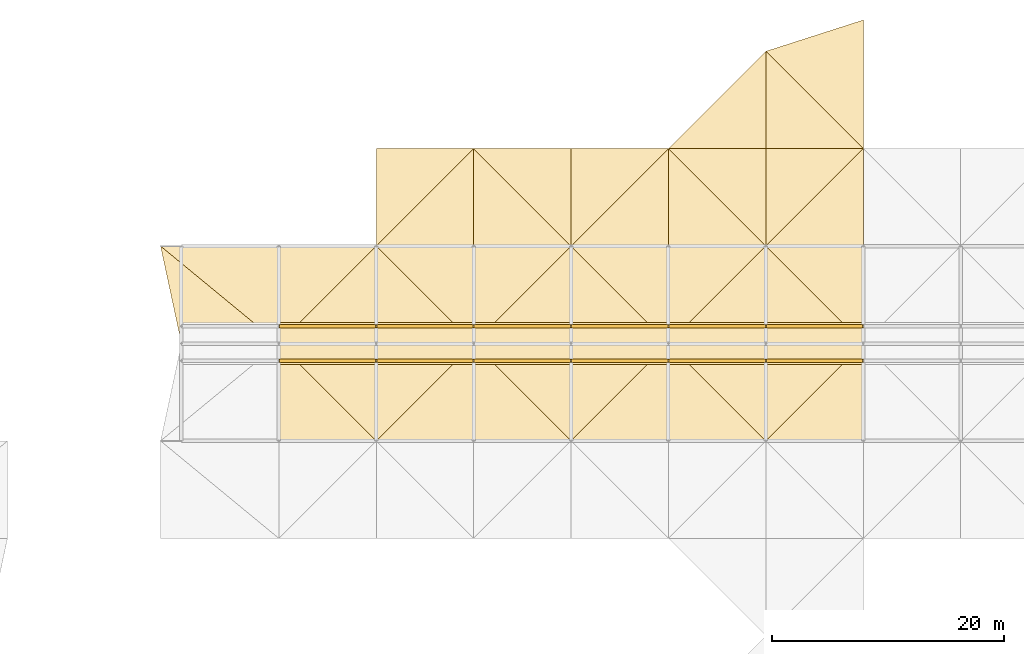
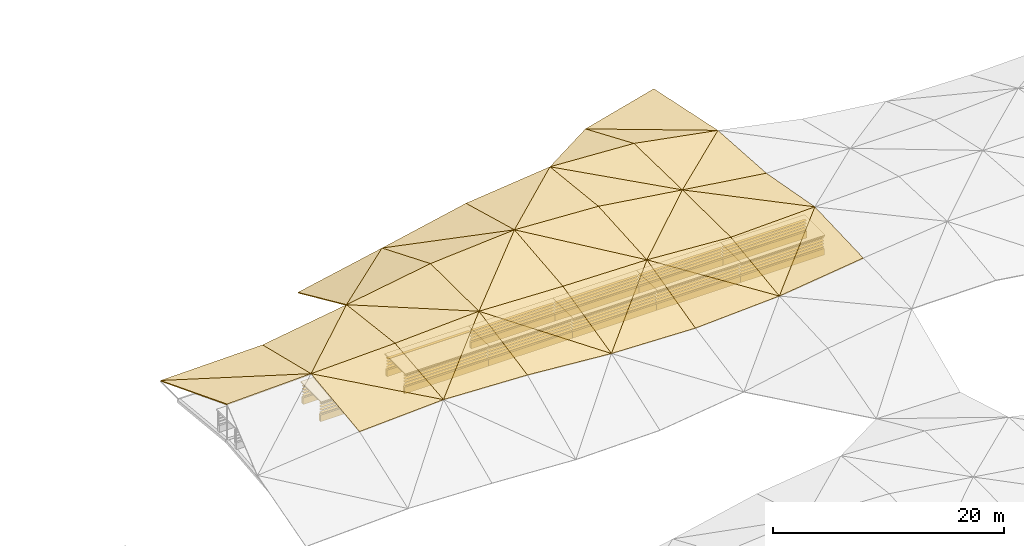
# One storey, part 45 of 46: 57 coverings, 48 shading devices.
"""IFC4 building model written with IfcOpenShell, lengths in metres."""

import ifcopenshell
import ifcopenshell.guid

model = None  # the IFC model being written
_history = None  # IfcOwnerHistory: only IFC2X3 demands one
_inside = {}  # id of a spatial element -> (the spatial element, [elements in it])
_under = {}  # id of a project, library or spatial element -> (it, [spatial elements below it])
_declared = {}  # id of a project -> (the project, [libraries it declares])
_typed = {}  # id of a type object -> (the type object, [elements of that type])
_made_of = {}  # id of a material, layer set ... -> (it, [elements and type objects made of it])


def new_model(schema):
    """Start an empty IFC model of exactly this schema.

    Asked for "IFC4X3", IfcOpenShell would pick the latest addendum, in which some entities
    have other attributes; the version numbers below select the first issue.
    IFC2X3 requires an IfcOwnerHistory on every rooted entity: one is made here for all.
    """
    global model, _history
    if schema == "IFC4X3":
        model = ifcopenshell.file(schema_version=(4, 3, 0, 0))
    else:
        model = ifcopenshell.file(schema=schema)
    _inside.clear()
    _under.clear()
    _declared.clear()
    _typed.clear()
    _made_of.clear()
    _history = None
    if model.schema == "IFC2X3":
        org = make("IfcOrganization", Name="unknown")
        user = make(
            "IfcPersonAndOrganization",
            ThePerson=make("IfcPerson", FamilyName="unknown"),
            TheOrganization=org,
        )
        app = make(
            "IfcApplication",
            ApplicationDeveloper=org,
            Version="unknown",
            ApplicationFullName="unknown",
            ApplicationIdentifier="unknown",
        )
        _history = make(
            "IfcOwnerHistory",
            OwningUser=user,
            OwningApplication=app,
            ChangeAction="ADDED",
            CreationDate=0,
        )
    return model


def make(cls, **values):
    """One entity of the class cls with the attributes given. An attribute that is None is left unset."""
    return model.create_entity(
        cls, **{name: value for name, value in values.items() if value is not None}
    )


def rooted(cls, **values):
    """An entity with a GlobalId (a new one), such as an element, a storey or a relation."""
    return make(cls, GlobalId=ifcopenshell.guid.new(), OwnerHistory=_history, **values)


def si_unit(unit_type, name, prefix=None):
    """IfcSIUnit, for example si_unit("LENGTHUNIT", "METRE", prefix="MILLI")."""
    return make("IfcSIUnit", UnitType=unit_type, Prefix=prefix, Name=name)


def assignment(units):
    """IfcUnitAssignment: the units of a project."""
    return None if units is None else make("IfcUnitAssignment", Units=units)


def point(xyz):
    """IfcCartesianPoint."""
    return None if xyz is None else make("IfcCartesianPoint", Coordinates=xyz)


def direction(xyz):
    """IfcDirection."""
    return None if xyz is None else make("IfcDirection", DirectionRatios=xyz)


def frame(location, z_axis=None, x_axis=None):
    """IfcAxis2Placement3D, a coordinate frame: its origin and axes. An axis left out is left unset."""
    return make(
        "IfcAxis2Placement3D",
        Location=point(location),
        Axis=direction(z_axis),
        RefDirection=direction(x_axis),
    )


def frame_2d(location, x_axis=None):
    """IfcAxis2Placement2D, a coordinate frame in the plane: its origin and x axis."""
    return make(
        "IfcAxis2Placement2D", Location=point(location), RefDirection=direction(x_axis)
    )


def origin():
    """The frame at (0, 0, 0) with its axes left unset."""
    return frame((0.0, 0.0, 0.0))


def origin_2d():
    """The frame at (0, 0) in the plane with its x axis left unset."""
    return frame_2d((0.0, 0.0))


def place(relative_to, where):
    """IfcLocalPlacement: puts the frame where relative to a parent placement (None: the world)."""
    return make(
        "IfcLocalPlacement", PlacementRelTo=relative_to, RelativePlacement=where
    )


def context(
    kind, dimensions, precision=None, world=None, true_north=None, identifier=None
):
    """IfcGeometricRepresentationContext, for example the 3D "Model" context."""
    return make(
        "IfcGeometricRepresentationContext",
        ContextIdentifier=identifier,
        ContextType=kind,
        CoordinateSpaceDimension=dimensions,
        Precision=precision,
        WorldCoordinateSystem=world,
        TrueNorth=true_north,
    )


def subcontext(parent, identifier, kind, view, scale=None):
    """IfcGeometricRepresentationSubContext, for example "Body" below "Model"."""
    return make(
        "IfcGeometricRepresentationSubContext",
        ContextIdentifier=identifier,
        ContextType=kind,
        ParentContext=parent,
        TargetScale=scale,
        TargetView=view,
    )


def project(units=None, contexts=None):
    """IfcProject with its units and contexts."""
    return rooted(
        "IfcProject",
        Name="project",
        RepresentationContexts=contexts,
        UnitsInContext=assignment(units),
    )


def spatial(cls, under=None, at=None, **own):
    """A site, building, storey or space (cls), placed at a placement, below another one or the project."""
    s = rooted(cls, ObjectPlacement=at, **own)
    if under is not None:
        _under.setdefault(under.id(), (under, []))[1].append(s)
    return s


def polyline(points):
    """IfcPolyline through the points."""
    return make("IfcPolyline", Points=[point(p) for p in points])


def profile(cls, at=None, kind="AREA", **sizes):
    """A parametric profile (cls). Its sizes go by their IFC names, for example OverallWidth=200.0."""
    return make(cls, ProfileType=kind, Position=at, **sizes)


def rectangle(**sizes):
    """IfcRectangleProfileDef."""
    return profile("IfcRectangleProfileDef", **sizes)


def outline(outer, holes=None, kind="AREA"):
    """IfcArbitraryClosedProfileDef: a profile drawn as a closed curve; with holes, ...WithVoids."""
    if holes is None:
        return make("IfcArbitraryClosedProfileDef", ProfileType=kind, OuterCurve=outer)
    return make(
        "IfcArbitraryProfileDefWithVoids",
        ProfileType=kind,
        OuterCurve=outer,
        InnerCurves=holes,
    )


def extrude(swept, where, along, depth):
    """IfcExtrudedAreaSolid: the profile swept, set in the frame where, extruded along a direction by depth."""
    return make(
        "IfcExtrudedAreaSolid",
        SweptArea=swept,
        Position=where,
        ExtrudedDirection=direction(along),
        Depth=depth,
    )


def shape(context_of_items, identifier, shape_type, items):
    """IfcShapeRepresentation: the items that make up one representation, for example the "Body"."""
    return make(
        "IfcShapeRepresentation",
        ContextOfItems=context_of_items,
        RepresentationIdentifier=identifier,
        RepresentationType=shape_type,
        Items=items,
    )


def material(Name=None, Category=None):
    """IfcMaterial."""
    return make("IfcMaterial", Name=Name, Category=Category)


def layer(
    of_material, thickness, ventilated=None, Name=None, Category=None, Priority=None
):
    """IfcMaterialLayer: one layer of a wall or slab, of a material (None: an air gap)."""
    return make(
        "IfcMaterialLayer",
        Material=of_material,
        LayerThickness=thickness,
        IsVentilated=ventilated,
        Name=Name,
        Category=Category,
        Priority=Priority,
    )


def layer_set(layers, Name=None):
    """IfcMaterialLayerSet."""
    return make("IfcMaterialLayerSet", MaterialLayers=layers, LayerSetName=Name)


def made_of(thing, what):
    """Note that an element or type object is made of a material, layer set ...; save() writes the relation."""
    if what is not None:
        _made_of.setdefault(what.id(), (what, []))[1].append(thing)
    return thing


def type_object(cls, material=None, **own):
    """A type object (cls), such as IfcWallType, which elements share."""
    return made_of(rooted(cls, **own), material)


def element(
    cls,
    number,
    at=None,
    inside=None,
    cuts=None,
    type_object=None,
    material=None,
    context=None,
    identifier="Body",
    shape_type=None,
    held_by="IfcProductDefinitionShape",
    body=None,
    shapes=None,
    **own,
):
    """One element of the class cls, such as IfcWall. Its Tag is "e" and its number.

    at: its placement. inside: the storey or other place that contains it. cuts: it is an
    opening in that element (IfcRelVoidsElement). A single representation is given by context,
    identifier, shape_type and body (its items); several are given by shapes. held_by: the class
    of the entity that holds the representations. save() writes the other relations.
    """
    e = rooted(cls, Tag="e%d" % number, ObjectPlacement=at, **own)
    if body is not None:
        shapes = [shape(context, identifier, shape_type, body)]
    if shapes is not None:
        e.Representation = make(held_by, Representations=shapes)
    if inside is not None:
        _inside.setdefault(inside.id(), (inside, []))[1].append(e)
    if cuts is not None:
        rooted(
            "IfcRelVoidsElement", RelatingBuildingElement=cuts, RelatedOpeningElement=e
        )
    if type_object is not None:
        _typed.setdefault(type_object.id(), (type_object, []))[1].append(e)
    return made_of(e, material)


def aggregate(whole, parts):
    """IfcRelAggregates: a whole, such as a stair, and the parts it consists of."""
    return rooted("IfcRelAggregates", RelatingObject=whole, RelatedObjects=parts)


def save(model, path):
    """Write the relations noted so far, then the file.

    IfcRelAggregates (storeys below a building ...), IfcRelContainedInSpatialStructure (elements
    in a storey), IfcRelDefinesByType, IfcRelAssociatesMaterial and IfcRelDeclares: one each for
    every whole, place, type object, material and project.
    """
    for whole, parts in _under.values():
        aggregate(whole, parts)
    for where, things in _inside.values():
        rooted(
            "IfcRelContainedInSpatialStructure",
            RelatedElements=things,
            RelatingStructure=where,
        )
    for kind, things in _typed.values():
        rooted("IfcRelDefinesByType", RelatedObjects=things, RelatingType=kind)
    for what, things in _made_of.values():
        rooted("IfcRelAssociatesMaterial", RelatedObjects=things, RelatingMaterial=what)
    for by, libraries in _declared.values():
        rooted("IfcRelDeclares", RelatingContext=by, RelatedDefinitions=libraries)
    model.write(path)


model = new_model("IFC4")

# Units and contexts
model_context = context("Model", 3, precision=1e-05, world=origin(), true_north=direction((0.0, 1.0)))
body_context = subcontext(model_context, "Body", "Model", "MODEL_VIEW")
ifc_project = project(units=[si_unit("LENGTHUNIT", "METRE"), si_unit("AREAUNIT", "SQUARE_METRE"), si_unit("VOLUMEUNIT", "CUBIC_METRE"), si_unit("PLANEANGLEUNIT", "RADIAN"), si_unit("MASSUNIT", "GRAM", prefix="KILO")], contexts=[model_context])

# Site, building, storey
site_placement = place(None, origin())
site = spatial("IfcSite", under=ifc_project, at=site_placement, CompositionType="ELEMENT")
building_placement = place(site_placement, origin())
building = spatial("IfcBuilding", under=site, at=building_placement, Name="Rain Tree Exposition and Congress Centre", CompositionType="ELEMENT")
storey_placement = place(building_placement, frame((0.0, 0.0, 27.0)))
storey = spatial("IfcBuildingStorey", under=building, at=storey_placement, Name="ROOF VAULT CREST", CompositionType="ELEMENT", Elevation=27.0)

# Shading devices
ifc_material_1 = material(Name="Aluminium", Category="aluminium")
ifc_layer_1 = layer(ifc_material_1, 0.0400390625)
ifc_layer_set_1 = layer_set([ifc_layer_1], Name="Aluminium")
shading_device_type = type_object("IfcShadingDeviceType", Name="Lantern louvre blade 40", PredefinedType="JALOUSIE", material=ifc_layer_set_1)
for number, where, z_axis, x_axis, name in (
    (1, (155.39990234375, 174.89990234375, 2.14990234375), (0.0, 0.0, 1.0), (1.0, 0.0, 0.0), "Lantern louvre SR1-1.1"),
    (2, (155.39990234375, 174.89990234375, 2.469970703125), (0.0, 0.0, 1.0), (1.0, 0.0, 0.0), "Lantern louvre SR1-1.2"),
    (3, (155.39990234375, 174.89990234375, 2.7900390625), (0.0, 0.0, 1.0), (1.0, 0.0, 0.0), "Lantern louvre SR1-1.3"),
    (4, (155.39990234375, 174.89990234375, 3.10986328125), (0.0, 0.0, 1.0), (1.0, 0.0, 0.0), "Lantern louvre SR1-1.4"),
    (5, (163.800048828125, 174.89990234375, 2.14990234375), (0.0, 0.0, 1.0), (1.0, 0.0, 0.0), "Lantern louvre SR1-2.1"),
    (6, (163.800048828125, 174.89990234375, 2.469970703125), (0.0, 0.0, 1.0), (1.0, 0.0, 0.0), "Lantern louvre SR1-2.2"),
    (7, (163.800048828125, 174.89990234375, 2.7900390625), (0.0, 0.0, 1.0), (1.0, 0.0, 0.0), "Lantern louvre SR1-2.3"),
    (8, (163.800048828125, 174.89990234375, 3.10986328125), (0.0, 0.0, 1.0), (1.0, 0.0, 0.0), "Lantern louvre SR1-2.4"),
    (9, (172.199951171875, 174.89990234375, 2.14990234375), (0.0, 0.0, 1.0), (1.0, 0.0, 0.0), "Lantern louvre SR1-3.1"),
    (10, (172.199951171875, 174.89990234375, 2.469970703125), (0.0, 0.0, 1.0), (1.0, 0.0, 0.0), "Lantern louvre SR1-3.2"),
    (11, (172.199951171875, 174.89990234375, 2.7900390625), (0.0, 0.0, 1.0), (1.0, 0.0, 0.0), "Lantern louvre SR1-3.3"),
    (12, (172.199951171875, 174.89990234375, 3.10986328125), (0.0, 0.0, 1.0), (1.0, 0.0, 0.0), "Lantern louvre SR1-3.4"),
    (13, (180.60009765625, 174.89990234375, 2.14990234375), (0.0, 0.0, 1.0), (1.0, 0.0, 0.0), "Lantern louvre SR1-4.1"),
    (14, (180.60009765625, 174.89990234375, 2.469970703125), (0.0, 0.0, 1.0), (1.0, 0.0, 0.0), "Lantern louvre SR1-4.2"),
    (15, (180.60009765625, 174.89990234375, 2.7900390625), (0.0, 0.0, 1.0), (1.0, 0.0, 0.0), "Lantern louvre SR1-4.3"),
    (16, (180.60009765625, 174.89990234375, 3.10986328125), (0.0, 0.0, 1.0), (1.0, 0.0, 0.0), "Lantern louvre SR1-4.4"),
    (17, (189.0, 174.89990234375, 2.14990234375), (0.0, 0.0, 1.0), (1.0, 0.0, 0.0), "Lantern louvre SR1-5.1"),
    (18, (189.0, 174.89990234375, 2.469970703125), (0.0, 0.0, 1.0), (1.0, 0.0, 0.0), "Lantern louvre SR1-5.2"),
    (19, (189.0, 174.89990234375, 2.7900390625), (0.0, 0.0, 1.0), (1.0, 0.0, 0.0), "Lantern louvre SR1-5.3"),
    (20, (189.0, 174.89990234375, 3.10986328125), (0.0, 0.0, 1.0), (1.0, 0.0, 0.0), "Lantern louvre SR1-5.4"),
    (21, (197.39990234375, 174.89990234375, 2.14990234375), (0.0, 0.0, 1.0), (1.0, 0.0, 0.0), "Lantern louvre SR1-6.1"),
    (22, (197.39990234375, 174.89990234375, 2.469970703125), (0.0, 0.0, 1.0), (1.0, 0.0, 0.0), "Lantern louvre SR1-6.2"),
    (23, (197.39990234375, 174.89990234375, 2.7900390625), (0.0, 0.0, 1.0), (1.0, 0.0, 0.0), "Lantern louvre SR1-6.3"),
    (24, (197.39990234375, 174.89990234375, 3.10986328125), (0.0, 0.0, 1.0), (1.0, 0.0, 0.0), "Lantern louvre SR1-6.4"),
    (25, (155.39990234375, 177.89990234375, 2.14990234375), (0.0, 0.0, 1.0), (1.0, 0.0, 0.0), "Lantern louvre NR1-1.1"),
    (26, (155.39990234375, 177.89990234375, 2.469970703125), (0.0, 0.0, 1.0), (1.0, 0.0, 0.0), "Lantern louvre NR1-1.2"),
    (27, (155.39990234375, 177.89990234375, 2.7900390625), (0.0, 0.0, 1.0), (1.0, 0.0, 0.0), "Lantern louvre NR1-1.3"),
    (28, (155.39990234375, 177.89990234375, 3.10986328125), (0.0, 0.0, 1.0), (1.0, 0.0, 0.0), "Lantern louvre NR1-1.4"),
    (29, (163.800048828125, 177.89990234375, 2.14990234375), (0.0, 0.0, 1.0), (1.0, 0.0, 0.0), "Lantern louvre NR1-2.1"),
    (30, (163.800048828125, 177.89990234375, 2.469970703125), (0.0, 0.0, 1.0), (1.0, 0.0, 0.0), "Lantern louvre NR1-2.2"),
    (31, (163.800048828125, 177.89990234375, 2.7900390625), (0.0, 0.0, 1.0), (1.0, 0.0, 0.0), "Lantern louvre NR1-2.3"),
    (32, (163.800048828125, 177.89990234375, 3.10986328125), (0.0, 0.0, 1.0), (1.0, 0.0, 0.0), "Lantern louvre NR1-2.4"),
    (33, (172.199951171875, 177.89990234375, 2.14990234375), (0.0, 0.0, 1.0), (1.0, 0.0, 0.0), "Lantern louvre NR1-3.1"),
    (34, (172.199951171875, 177.89990234375, 2.469970703125), (0.0, 0.0, 1.0), (1.0, 0.0, 0.0), "Lantern louvre NR1-3.2"),
    (35, (172.199951171875, 177.89990234375, 2.7900390625), (0.0, 0.0, 1.0), (1.0, 0.0, 0.0), "Lantern louvre NR1-3.3"),
    (36, (172.199951171875, 177.89990234375, 3.10986328125), (0.0, 0.0, 1.0), (1.0, 0.0, 0.0), "Lantern louvre NR1-3.4"),
    (37, (180.60009765625, 177.89990234375, 2.14990234375), (0.0, 0.0, 1.0), (1.0, 0.0, 0.0), "Lantern louvre NR1-4.1"),
    (38, (180.60009765625, 177.89990234375, 2.469970703125), (0.0, 0.0, 1.0), (1.0, 0.0, 0.0), "Lantern louvre NR1-4.2"),
    (39, (180.60009765625, 177.89990234375, 2.7900390625), (0.0, 0.0, 1.0), (1.0, 0.0, 0.0), "Lantern louvre NR1-4.3"),
    (40, (180.60009765625, 177.89990234375, 3.10986328125), (0.0, 0.0, 1.0), (1.0, 0.0, 0.0), "Lantern louvre NR1-4.4"),
    (41, (189.0, 177.89990234375, 2.14990234375), (0.0, 0.0, 1.0), (1.0, 0.0, 0.0), "Lantern louvre NR1-5.1"),
    (42, (189.0, 177.89990234375, 2.469970703125), (0.0, 0.0, 1.0), (1.0, 0.0, 0.0), "Lantern louvre NR1-5.2"),
    (43, (189.0, 177.89990234375, 2.7900390625), (0.0, 0.0, 1.0), (1.0, 0.0, 0.0), "Lantern louvre NR1-5.3"),
    (44, (189.0, 177.89990234375, 3.10986328125), (0.0, 0.0, 1.0), (1.0, 0.0, 0.0), "Lantern louvre NR1-5.4"),
    (45, (197.39990234375, 177.89990234375, 2.14990234375), (0.0, 0.0, 1.0), (1.0, 0.0, 0.0), "Lantern louvre NR1-6.1"),
    (46, (197.39990234375, 177.89990234375, 2.469970703125), (0.0, 0.0, 1.0), (1.0, 0.0, 0.0), "Lantern louvre NR1-6.2"),
    (47, (197.39990234375, 177.89990234375, 2.7900390625), (0.0, 0.0, 1.0), (1.0, 0.0, 0.0), "Lantern louvre NR1-6.3"),
    (48, (197.39990234375, 177.89990234375, 3.10986328125), (0.0, 0.0, 1.0), (1.0, 0.0, 0.0), "Lantern louvre NR1-6.4"),
):
    element("IfcShadingDevice", number, at=place(storey_placement, frame(where, z_axis=z_axis, x_axis=x_axis)), inside=storey, type_object=shading_device_type, Name=name, PredefinedType="JALOUSIE", context=body_context, shape_type="SweptSolid", body=[
        extrude(rectangle(XDim=8.300048828125, YDim=0.300048828125, at=origin_2d()), origin(), (0.0, 0.0, 1.0), 0.0400390625),
    ])

# Coverings
ifc_material_2 = material(Name="Aluminium composite", Category="aluminium")
ifc_layer_2 = layer(ifc_material_2, 0.1201171875)
ifc_layer_set_2 = layer_set([ifc_layer_2], Name="Aluminium composite")
covering_type_1 = type_object("IfcCoveringType", Name="Ridge lantern cap 120", PredefinedType="CLADDING", material=ifc_layer_set_2)
for number, where, z_axis, x_axis, name in (
    (49, (155.39990234375, 176.39990234375, 3.3798828125), (0.0, 0.0, 1.0), (1.0, 0.0, 0.0), "Lantern cap R1-1"),
    (50, (163.800048828125, 176.39990234375, 3.3798828125), (0.0, 0.0, 1.0), (1.0, 0.0, 0.0), "Lantern cap R1-2"),
    (51, (172.199951171875, 176.39990234375, 3.3798828125), (0.0, 0.0, 1.0), (1.0, 0.0, 0.0), "Lantern cap R1-3"),
    (52, (180.60009765625, 176.39990234375, 3.3798828125), (0.0, 0.0, 1.0), (1.0, 0.0, 0.0), "Lantern cap R1-4"),
    (53, (189.0, 176.39990234375, 3.3798828125), (0.0, 0.0, 1.0), (1.0, 0.0, 0.0), "Lantern cap R1-5"),
    (54, (197.39990234375, 176.39990234375, 3.3798828125), (0.0, 0.0, 1.0), (1.0, 0.0, 0.0), "Lantern cap R1-6"),
):
    element("IfcCovering", number, at=place(storey_placement, frame(where, z_axis=z_axis, x_axis=x_axis)), inside=storey, type_object=covering_type_1, Name=name, PredefinedType="CLADDING", context=body_context, shape_type="SweptSolid", body=[
        extrude(rectangle(XDim=8.39990234375, YDim=3.60009765625, at=origin_2d()), origin(), (0.0, 0.0, 1.0), 0.1201171875),
    ])
ifc_material_3 = material(Name="Precast concrete C50/60", Category="concrete")
ifc_layer_3 = layer(ifc_material_3, 0.300048828125)
ifc_layer_set_3 = layer_set([ifc_layer_3], Name="Precast concrete C50/60")
covering_type_2 = type_object("IfcCoveringType", Name="Ridge lantern kerb 300", PredefinedType="CLADDING", material=ifc_layer_set_3)
for number, where, z_axis, x_axis, name in (
    (55, (155.39990234375, 174.89990234375, 1.2998046875), (0.0, 0.0, 1.0), (1.0, 0.0, 0.0), "Lantern kerb SR1-1"),
    (56, (163.800048828125, 174.89990234375, 1.2998046875), (0.0, 0.0, 1.0), (1.0, 0.0, 0.0), "Lantern kerb SR1-2"),
    (57, (172.199951171875, 174.89990234375, 1.2998046875), (0.0, 0.0, 1.0), (1.0, 0.0, 0.0), "Lantern kerb SR1-3"),
    (58, (180.60009765625, 174.89990234375, 1.2998046875), (0.0, 0.0, 1.0), (1.0, 0.0, 0.0), "Lantern kerb SR1-4"),
    (59, (189.0, 174.89990234375, 1.2998046875), (0.0, 0.0, 1.0), (1.0, 0.0, 0.0), "Lantern kerb SR1-5"),
    (60, (197.39990234375, 174.89990234375, 1.2998046875), (0.0, 0.0, 1.0), (1.0, 0.0, 0.0), "Lantern kerb SR1-6"),
    (61, (155.39990234375, 177.89990234375, 1.2998046875), (0.0, 0.0, 1.0), (1.0, 0.0, 0.0), "Lantern kerb NR1-1"),
    (62, (163.800048828125, 177.89990234375, 1.2998046875), (0.0, 0.0, 1.0), (1.0, 0.0, 0.0), "Lantern kerb NR1-2"),
    (63, (172.199951171875, 177.89990234375, 1.2998046875), (0.0, 0.0, 1.0), (1.0, 0.0, 0.0), "Lantern kerb NR1-3"),
    (64, (180.60009765625, 177.89990234375, 1.2998046875), (0.0, 0.0, 1.0), (1.0, 0.0, 0.0), "Lantern kerb NR1-4"),
    (65, (189.0, 177.89990234375, 1.2998046875), (0.0, 0.0, 1.0), (1.0, 0.0, 0.0), "Lantern kerb NR1-5"),
    (66, (197.39990234375, 177.89990234375, 1.2998046875), (0.0, 0.0, 1.0), (1.0, 0.0, 0.0), "Lantern kerb NR1-6"),
):
    element("IfcCovering", number, at=place(storey_placement, frame(where, z_axis=z_axis, x_axis=x_axis)), inside=storey, type_object=covering_type_2, Name=name, PredefinedType="CLADDING", context=body_context, shape_type="SweptSolid", body=[
        extrude(rectangle(XDim=8.39990234375, YDim=0.300048828125, at=origin_2d()), origin(), (0.0, 0.0, 1.0), 0.699951171875),
    ])
ifc_material_4 = material(Name="Aluminium composite cladding", Category="aluminium")
ifc_layer_4 = layer(ifc_material_4, 0.10009765625)
ifc_layer_set_4 = layer_set([ifc_layer_4], Name="Aluminium composite cladding")
covering_type_3 = type_object("IfcCoveringType", Name="Triangular aluminium roof skin facet 100", PredefinedType="CLADDING", material=ifc_layer_set_4)
covering_1_placement = place(storey_placement, frame((151.199951171875, 168.0, 4.3701171875), z_axis=(-0.051568992577, -0.121521973623, 0.991248227707), x_axis=(0.998649477044, 0.0, 0.051954037373)))
element("IfcCovering", 67, at=covering_1_placement, inside=storey, type_object=covering_type_3, Name="Roof skin facet B195", PredefinedType="CLADDING", context=body_context, shape_type="SweptSolid", body=[
    extrude(outline(polyline([(0.0, 0.0), (8.411506416884107, 0.0), (0.05350149649445964, 8.462621014936357), (0.0, 0.0)])), origin(), (0.0, 0.0, -1.0), 0.10009765625),
])
covering_2_placement = place(storey_placement, frame((159.60009765625, 168.0, 4.80712890625), z_axis=(-0.032794353192, -0.102951256852, 0.994145647836), x_axis=(0.0, 0.994680666133, 0.103006662019)))
element("IfcCovering", 68, at=covering_2_placement, inside=storey, type_object=covering_type_3, Name="Roof skin facet B196", PredefinedType="CLADDING", context=body_context, shape_type="SweptSolid", body=[
    extrude(outline(polyline([(0.0, 0.0), (8.444823177676152, 3.469446951953614e-18), (8.416280071867604, 8.404667182202056), (0.0, 0.0)])), origin(), (0.0, 0.0, -1.0), 0.10009765625),
])
covering_3_placement = place(storey_placement, frame((159.60009765625, 168.0, 4.80712890625), z_axis=(0.039130850127, -0.192177219526, 0.98057977384), x_axis=(0.999204712082, 0.0, -0.039874093754)))
element("IfcCovering", 69, at=covering_3_placement, inside=storey, type_object=covering_type_3, Name="Roof skin facet B197", PredefinedType="CLADDING", context=body_context, shape_type="SweptSolid", body=[
    extrude(outline(polyline([(0.0, 0.0), (8.406588001617395, 1.3877787807814457e-17), (8.340945664170857, 8.559448427167862), (0.0, 0.0)])), origin(), (0.0, 0.0, -1.0), 0.10009765625),
])
covering_4_placement = place(storey_placement, frame((159.60009765625, 168.0, 4.80712890625), z_axis=(-0.052169399816, -0.102866392664, 0.993326159417), x_axis=(0.702839415282, 0.702839415282, 0.109697368484)))
element("IfcCovering", 70, at=covering_4_placement, inside=storey, type_object=covering_type_3, Name="Roof skin facet B198", PredefinedType="CLADDING", context=body_context, shape_type="SweptSolid", body=[
    extrude(outline(polyline([(0.0, 0.0), (11.951382010043732, -2.220446049250313e-16), (5.999205235863916, 5.943448076680683), (0.0, 0.0)])), origin(), (0.0, 0.0, -1.0), 0.10009765625),
])
covering_5_placement = place(storey_placement, frame((168.0, 168.0, 4.471923828125), z_axis=(0.078280389932, -0.191734351366, 0.9783200494), x_axis=(0.996814080849, 0.0, -0.07976019196)))
element("IfcCovering", 71, at=covering_5_placement, inside=storey, type_object=covering_type_3, Name="Roof skin facet B199", PredefinedType="CLADDING", context=body_context, shape_type="SweptSolid", body=[
    extrude(outline(polyline([(0.0, 0.0), (8.426749285681357, 0.0), (-0.13130443710607662, 8.55869297490032), (0.0, 0.0)])), origin(), (0.0, 0.0, -1.0), 0.10009765625),
])
covering_6_placement = place(storey_placement, frame((176.39990234375, 168.0, 3.7998046875), z_axis=(0.034426684313, -0.233756904071, 0.971685398268), x_axis=(0.0, 0.972261729729, 0.233895551269)))
element("IfcCovering", 72, at=covering_6_placement, inside=storey, type_object=covering_type_3, Name="Roof skin facet B200", PredefinedType="CLADDING", context=body_context, shape_type="SweptSolid", body=[
    extrude(outline(polyline([(0.0, 0.0), (8.639548474347214, -1.3877787807814457e-17), (8.709157526348491, 8.404884540668677), (0.0, 0.0)])), origin(), (0.0, 0.0, -1.0), 0.10009765625),
])
covering_7_placement = place(storey_placement, frame((176.39990234375, 168.0, 3.7998046875), z_axis=(0.029397357411, -0.245914352458, 0.968845667087), x_axis=(0.99953997903, 0.0, -0.030328704569)))
element("IfcCovering", 73, at=covering_7_placement, inside=storey, type_object=covering_type_3, Name="Roof skin facet B201", PredefinedType="CLADDING", context=body_context, shape_type="SweptSolid", body=[
    extrude(outline(polyline([(0.0, 0.0), (8.404012506360612, 0.0), (8.339349279553605, 8.666022358104852), (0.0, 0.0)])), origin(), (0.0, 0.0, -1.0), 0.10009765625),
])
covering_8_placement = place(storey_placement, frame((176.39990234375, 168.0, 3.7998046875), z_axis=(0.016613218203, -0.23386327157, 0.972127548828), x_axis=(0.698450467041, 0.698430167379, 0.15608410036)))
element("IfcCovering", 74, at=covering_8_placement, inside=storey, type_object=covering_type_3, Name="Roof skin facet B202", PredefinedType="CLADDING", context=body_context, shape_type="SweptSolid", body=[
    extrude(outline(polyline([(0.0, 0.0), (12.026832081540194, -1.9984014443252818e-15), (6.182152450566822, 6.035129569325408), (0.0, 0.0)])), origin(), (0.0, 0.0, -1.0), 0.10009765625),
])
covering_9_placement = place(storey_placement, frame((184.800048828125, 168.0, 3.544921875), z_axis=(-0.05229892918, -0.245683995982, 0.967938115855), x_axis=(0.998543499019, 0.0, 0.053952577012)))
element("IfcCovering", 75, at=covering_9_placement, inside=storey, type_object=covering_type_3, Name="Roof skin facet B203", PredefinedType="CLADDING", context=body_context, shape_type="SweptSolid", body=[
    extrude(outline(polyline([(0.0, 0.0), (8.412154655254966, -1.3877787807814457e-17), (0.11503121461091734, 8.665500139272943), (0.0, 0.0)])), origin(), (0.0, 0.0, -1.0), 0.10009765625),
])
covering_10_placement = place(storey_placement, frame((193.199951171875, 168.0, 3.998779296875), z_axis=(0.065254607218, -0.132348991909, 0.989052870466), x_axis=(0.0, 0.991165394015, 0.13263167686)))
element("IfcCovering", 76, at=covering_10_placement, inside=storey, type_object=covering_type_3, Name="Roof skin facet B204", PredefinedType="CLADDING", context=body_context, shape_type="SweptSolid", body=[
    extrude(outline(polyline([(0.0, 0.0), (8.47477362957773, 0.0), (8.548278001275056, 8.417843742072028), (0.0, 0.0)])), origin(), (0.0, 0.0, -1.0), 0.10009765625),
])
covering_11_placement = place(storey_placement, frame((193.199951171875, 168.0, 3.998779296875), z_axis=(-0.127209269407, -0.0381120369, 0.991143417685), x_axis=(0.991864034281, 0.0, 0.127301757648)))
element("IfcCovering", 77, at=covering_11_placement, inside=storey, type_object=covering_type_3, Name="Roof skin facet B205", PredefinedType="CLADDING", context=body_context, shape_type="SweptSolid", body=[
    extrude(outline(polyline([(0.0, 0.0), (8.46905038800589, -6.938893903907228e-18), (8.510168607089847, 8.406009541683924), (0.0, 0.0)])), origin(), (0.0, 0.0, -1.0), 0.10009765625),
])
covering_12_placement = place(storey_placement, frame((193.199951171875, 168.0, 3.998779296875), z_axis=(-0.032678579604, -0.132560839952, 0.99063602506), x_axis=(0.702249396384, 0.70222898631, 0.117133411394)))
element("IfcCovering", 78, at=covering_12_placement, inside=storey, type_object=covering_type_3, Name="Roof skin facet B206", PredefinedType="CLADDING", context=body_context, shape_type="SweptSolid", body=[
    extrude(outline(polyline([(0.0, 0.0), (11.961771028404561, 7.077671781985373e-16), (6.030315607676924, 5.9545849346863955), (0.0, 0.0)])), origin(), (0.0, 0.0, -1.0), 0.10009765625),
])
covering_13_placement = place(storey_placement, frame((142.800048828125, 176.39990234375, 5.122802734375), z_axis=(-0.032153690516, 0.221210289624, 0.974695925892), x_axis=(0.999456325364, 0.0, 0.032970497276)))
element("IfcCovering", 79, at=covering_13_placement, inside=storey, type_object=covering_type_3, Name="Roof skin facet B217", PredefinedType="CLADDING", context=body_context, shape_type="SweptSolid", body=[
    extrude(outline(polyline([(0.0, 0.0), (8.40447164181381, 0.0), (-1.8638842604918453, 8.61353711939063), (0.0, 0.0)])), origin(), (0.0, 0.0, -1.0), 0.10009765625),
])
covering_14_placement = place(storey_placement, frame((151.199951171875, 176.39990234375, 5.39990234375), z_axis=(-0.018483603493, 0.236916999264, 0.971354050726), x_axis=(0.0, 0.971520021701, -0.236957480225)))
element("IfcCovering", 80, at=covering_14_placement, inside=storey, type_object=covering_type_3, Name="Roof skin facet B218", PredefinedType="CLADDING", context=body_context, shape_type="SweptSolid", body=[
    extrude(outline(polyline([(0.0, 0.0), (8.64639564470356, -6.938893903907228e-18), (8.69238714782346, 10.201693992464639), (0.0, 0.0)])), origin(), (0.0, 0.0, -1.0), 0.10009765625),
])
covering_15_placement = place(storey_placement, frame((151.199951171875, 176.39990234375, 5.39990234375), z_axis=(-0.032729955076, 0.120336654214, 0.992193448725), x_axis=(0.99945635694, 0.0, 0.032969540068)))
element("IfcCovering", 81, at=covering_15_placement, inside=storey, type_object=covering_type_3, Name="Roof skin facet B219", PredefinedType="CLADDING", context=body_context, shape_type="SweptSolid", body=[
    extrude(outline(polyline([(0.0, 0.0), (8.404715649709598, 6.938893903907228e-18), (8.371126320924287, 8.461635998324338), (0.0, 0.0)])), origin(), (0.0, 0.0, -1.0), 0.10009765625),
])
covering_16_placement = place(storey_placement, frame((151.199951171875, 176.39990234375, 5.39990234375), z_axis=(-0.149477711943, 0.234295285511, 0.960605086818), x_axis=(0.705732614207, 0.705732614207, -0.062313357223)))
element("IfcCovering", 82, at=covering_16_placement, inside=storey, type_object=covering_type_3, Name="Roof skin facet B220", PredefinedType="CLADDING", context=body_context, shape_type="SweptSolid", body=[
    extrude(outline(polyline([(0.0, 0.0), (11.902732444653612, 1.4155343563970746e-15), (6.055926696982973, 6.171378248456143), (0.0, 0.0)])), origin(), (0.0, 0.0, -1.0), 0.10009765625),
])
covering_17_placement = place(storey_placement, frame((159.60009765625, 176.39990234375, 5.677001953125), z_axis=(-0.05206712334, 0.120237847712, 0.991378774558), x_axis=(0.998623676187, 0.0, 0.052447624916)))
element("IfcCovering", 83, at=covering_17_placement, inside=storey, type_object=covering_type_3, Name="Roof skin facet B221", PredefinedType="CLADDING", context=body_context, shape_type="SweptSolid", body=[
    extrude(outline(polyline([(0.0, 0.0), (8.411479262964686, 6.938893903907228e-18), (-0.053433578802640866, 8.4615339545382), (0.0, 0.0)])), origin(), (0.0, 0.0, -1.0), 0.10009765625),
])
covering_18_placement = place(storey_placement, frame((168.0, 176.39990234375, 6.1181640625), z_axis=(-0.165139443584, 0.006277466939, 0.986250250992), x_axis=(0.0, 0.999979744106, -0.006364854941)))
element("IfcCovering", 84, at=covering_18_placement, inside=storey, type_object=covering_type_3, Name="Roof skin facet B222", PredefinedType="CLADDING", context=body_context, shape_type="SweptSolid", body=[
    extrude(outline(polyline([(0.0, 0.0), (8.400316640301469, 0.0), (8.409268771482083, 8.516836561276524), (0.0, 0.0)])), origin(), (0.0, 0.0, -1.0), 0.10009765625),
])
covering_19_placement = place(storey_placement, frame((168.0, 176.39990234375, 6.1181640625), z_axis=(0.035215549792, -0.104025848384, 0.993950948448), x_axis=(0.999372952543, 0.0, -0.035407650676)))
element("IfcCovering", 85, at=covering_19_placement, inside=storey, type_object=covering_type_3, Name="Roof skin facet B223", PredefinedType="CLADDING", context=body_context, shape_type="SweptSolid", body=[
    extrude(outline(polyline([(0.0, 0.0), (8.405172785974827, 3.469446951953614e-18), (8.37404413605214, 8.4459692975672), (0.0, 0.0)])), origin(), (0.0, 0.0, -1.0), 0.10009765625),
])
covering_20_placement = place(storey_placement, frame((168.0, 176.39990234375, 6.1181640625), z_axis=(-0.075380665509, 0.006346745848, 0.997134631875), x_axis=(0.706250756333, 0.706271283298, 0.048895230529)))
element("IfcCovering", 86, at=covering_20_placement, inside=storey, type_object=covering_type_3, Name="Roof skin facet B224", PredefinedType="CLADDING", context=body_context, shape_type="SweptSolid", body=[
    extrude(outline(polyline([(0.0, 0.0), (11.893654298322152, -1.394717674685353e-15), (5.930167966049203, 5.949657767617361), (0.0, 0.0)])), origin(), (0.0, 0.0, -1.0), 0.10009765625),
])
covering_21_placement = place(storey_placement, frame((176.39990234375, 176.39990234375, 5.820556640625), z_axis=(0.016994258024, -0.104075379495, 0.994424210575), x_axis=(0.999854005691, 0.0, -0.017087050756)))
element("IfcCovering", 87, at=covering_21_placement, inside=storey, type_object=covering_type_3, Name="Roof skin facet B225", PredefinedType="CLADDING", context=body_context, shape_type="SweptSolid", body=[
    extrude(outline(polyline([(0.0, 0.0), (8.401373037025609, 0.0), (-0.01502208734637456, 8.446013302451371), (0.0, 0.0)])), origin(), (0.0, 0.0, -1.0), 0.10009765625),
])
covering_22_placement = place(storey_placement, frame((184.800048828125, 176.39990234375, 5.677001953125), z_axis=(0.054059900888, -0.067234649095, 0.996271563921), x_axis=(0.0, 0.997730550903, 0.067333110681)))
element("IfcCovering", 88, at=covering_22_placement, inside=storey, type_object=covering_type_3, Name="Roof skin facet B226", PredefinedType="CLADDING", context=body_context, shape_type="SweptSolid", body=[
    extrude(outline(polyline([(0.0, 0.0), (8.419253551741916, -3.469446951953614e-18), (8.449944693744172, 8.41244805436579), (0.0, 0.0)])), origin(), (0.0, 0.0, -1.0), 0.10009765625),
])
covering_23_placement = place(storey_placement, frame((184.800048828125, 176.39990234375, 5.677001953125), z_axis=(0.065830401499, 0.010062768903, 0.99778008545), x_axis=(0.997830606552, 0.0, -0.065833734723)))
element("IfcCovering", 89, at=covering_23_placement, inside=storey, type_object=covering_type_3, Name="Roof skin facet B227", PredefinedType="CLADDING", context=body_context, shape_type="SweptSolid", body=[
    extrude(outline(polyline([(0.0, 0.0), (8.41816465499457, 8.673617379884035e-19), (8.423741878126608, 8.400571813228705), (0.0, 0.0)])), origin(), (0.0, 0.0, -1.0), 0.10009765625),
])
covering_24_placement = place(storey_placement, frame((184.800048828125, 176.39990234375, 5.677001953125), z_axis=(0.141777975412, -0.066652944086, 0.987651958299), x_axis=(0.706076026035, 0.706096547921, -0.053705776903)))
element("IfcCovering", 90, at=covering_24_placement, inside=storey, type_object=covering_type_3, Name="Roof skin facet B228", PredefinedType="CLADDING", context=body_context, shape_type="SweptSolid", body=[
    extrude(outline(polyline([(0.0, 0.0), (11.896597581599394, 9.853229343548264e-16), (5.900868923426594, 6.005295689394249), (0.0, 0.0)])), origin(), (0.0, 0.0, -1.0), 0.10009765625),
])
covering_25_placement = place(storey_placement, frame((193.199951171875, 176.39990234375, 5.122802734375), z_axis=(-0.032967865346, 0.010079162357, 0.999405588508), x_axis=(0.99945635694, 0.0, 0.032969540068)))
element("IfcCovering", 91, at=covering_25_placement, inside=storey, type_object=covering_type_3, Name="Roof skin facet B229", PredefinedType="CLADDING", context=body_context, shape_type="SweptSolid", body=[
    extrude(outline(polyline([(0.0, 0.0), (8.404715649709598, 0.0), (-0.0027930738290205966, 8.400573200286335), (0.0, 0.0)])), origin(), (0.0, 0.0, -1.0), 0.10009765625),
])
covering_26_placement = place(storey_placement, frame((201.60009765625, 176.39990234375, 5.39990234375), z_axis=(0.136614020464, 0.178583750632, 0.974394403423), x_axis=(0.0, 0.983616443657, -0.180273935353)))
element("IfcCovering", 92, at=covering_26_placement, inside=storey, type_object=covering_type_3, Name="Roof skin facet B230", PredefinedType="CLADDING", context=body_context, shape_type="SweptSolid", body=[
    extrude(outline(polyline([(0.0, 0.0), (8.540063089170078, 2.7755575615628914e-17), (8.32774827858799, 8.47964867422123), (0.0, 0.0)])), origin(), (0.0, 0.0, -1.0), 0.10009765625),
])
covering_27_placement = place(storey_placement, frame((159.60009765625, 184.800048828125, 4.658203125), z_axis=(-0.15307714147, 0.375213038483, 0.914211444094), x_axis=(0.986269683946, 0.0, 0.165142697472)))
element("IfcCovering", 93, at=covering_27_placement, inside=storey, type_object=covering_type_3, Name="Roof skin facet B245", PredefinedType="CLADDING", context=body_context, shape_type="SweptSolid", body=[
    extrude(outline(polyline([(0.0, 0.0), (8.516841266112054, 0.0), (7.947510203856323, 9.061983508601593), (0.0, 0.0)])), origin(), (0.0, 0.0, -1.0), 0.10009765625),
])
covering_28_placement = place(storey_placement, frame((159.60009765625, 184.800048828125, 4.658203125), z_axis=(-0.185770489542, 0.403466213199, 0.895937687578), x_axis=(0.696895466395, 0.696895466395, -0.169332270507)))
element("IfcCovering", 94, at=covering_28_placement, inside=storey, type_object=covering_type_3, Name="Roof skin facet B246", PredefinedType="CLADDING", context=body_context, shape_type="SweptSolid", body=[
    extrude(outline(polyline([(0.0, 0.0), (12.053317532968574, 1.1102230246251565e-16), (6.494389554696387, 6.533773433898196), (0.0, 0.0)])), origin(), (0.0, 0.0, -1.0), 0.10009765625),
])
covering_29_placement = place(storey_placement, frame((168.0, 184.800048828125, 6.064697265625), z_axis=(-0.069765742328, 0.378762801772, 0.922860488477), x_axis=(0.997154715363, 0.0, 0.075382183766)))
element("IfcCovering", 95, at=covering_29_placement, inside=storey, type_object=covering_type_3, Name="Roof skin facet B247", PredefinedType="CLADDING", context=body_context, shape_type="SweptSolid", body=[
    extrude(outline(polyline([(0.0, 0.0), (8.423870653504592, 0.0), (-0.25988081468803825, 9.076130504282846), (0.0, 0.0)])), origin(), (0.0, 0.0, -1.0), 0.10009765625),
])
covering_30_placement = place(storey_placement, frame((176.39990234375, 184.800048828125, 6.69970703125), z_axis=(-0.201705418832, 0.257569909833, 0.944972309416), x_axis=(0.0, 0.964802637699, -0.262975037387)))
element("IfcCovering", 96, at=covering_30_placement, inside=storey, type_object=covering_type_3, Name="Roof skin facet B248", PredefinedType="CLADDING", context=body_context, shape_type="SweptSolid", body=[
    extrude(outline(polyline([(0.0, 0.0), (8.706342639964227, 5.551115123125783e-17), (9.177848664029481, 8.576175044405488), (0.0, 0.0)])), origin(), (0.0, 0.0, -1.0), 0.10009765625),
])
covering_31_placement = place(storey_placement, frame((176.39990234375, 184.800048828125, 6.69970703125), z_axis=(0.053865453533, 0.108022560028, 0.99268808769), x_axis=(0.998531049137, 0.0, -0.054182505558)))
element("IfcCovering", 97, at=covering_31_placement, inside=storey, type_object=covering_type_3, Name="Roof skin facet B249", PredefinedType="CLADDING", context=body_context, shape_type="SweptSolid", body=[
    extrude(outline(polyline([(0.0, 0.0), (8.412504039440346, 6.938893903907228e-18), (8.4620302359271, 8.44934416356113), (0.0, 0.0)])), origin(), (0.0, 0.0, -1.0), 0.10009765625),
])
covering_32_placement = place(storey_placement, frame((176.39990234375, 184.800048828125, 6.69970703125), z_axis=(-0.105045595808, 0.261520103432, 0.959464776999), x_axis=(0.702461991617, 0.702441575365, -0.114555591448)))
element("IfcCovering", 98, at=covering_32_placement, inside=storey, type_object=covering_type_3, Name="Roof skin facet B250", PredefinedType="CLADDING", context=body_context, shape_type="SweptSolid", body=[
    extrude(outline(polyline([(0.0, 0.0), (11.958150881639227, -3.885780586188048e-16), (6.162721479152355, 6.149899684942303), (0.0, 0.0)])), origin(), (0.0, 0.0, -1.0), 0.10009765625),
])
covering_33_placement = place(storey_placement, frame((184.800048828125, 184.800048828125, 6.243896484375), z_axis=(0.141276755545, 0.107094588533, 0.984160366734), x_axis=(0.989853174067, 0.0, -0.142093961132)))
element("IfcCovering", 99, at=covering_33_placement, inside=storey, type_object=covering_type_3, Name="Roof skin facet B251", PredefinedType="CLADDING", context=body_context, shape_type="SweptSolid", body=[
    extrude(outline(polyline([(0.0, 0.0), (8.486008393791025, 0.0), (0.1298827613474161, 8.448490995837528), (0.0, 0.0)])), origin(), (0.0, 0.0, -1.0), 0.10009765625),
])
covering_34_placement = place(storey_placement, frame((193.199951171875, 184.800048828125, 5.0380859375), z_axis=(0.056022971492, 0.021353136726, 0.998201117119), x_axis=(0.0, 0.99977127784, -0.021386725004)))
element("IfcCovering", 100, at=covering_34_placement, inside=storey, type_object=covering_type_3, Name="Roof skin facet B252", PredefinedType="CLADDING", context=body_context, shape_type="SweptSolid", body=[
    extrude(outline(polyline([(0.0, 0.0), (8.401824027090367, 0.0), (8.391741564692207, 8.413115309048491), (0.0, 0.0)])), origin(), (0.0, 0.0, -1.0), 0.10009765625),
])
covering_35_placement = place(storey_placement, frame((193.199951171875, 184.800048828125, 5.0380859375), z_axis=(0.138541172899, 0.066228281546, 0.988139746258), x_axis=(0.990313983336, 0.0, -0.138846009696)))
element("IfcCovering", 101, at=covering_35_placement, inside=storey, type_object=covering_type_3, Name="Roof skin facet B253", PredefinedType="CLADDING", context=body_context, shape_type="SweptSolid", body=[
    extrude(outline(polyline([(0.0, 0.0), (8.482306244000762, -1.3877787807814457e-17), (8.560474920358002, 8.418384931054065), (0.0, 0.0)])), origin(), (0.0, 0.0, -1.0), 0.10009765625),
])
covering_36_placement = place(storey_placement, frame((193.199951171875, 184.800048828125, 5.0380859375), z_axis=(0.182665837411, 0.021026894566, 0.982950182638), x_axis=(0.699645631155, 0.699625296757, -0.144984257568)))
element("IfcCovering", 102, at=covering_36_placement, inside=storey, type_object=covering_type_3, Name="Roof skin facet B254", PredefinedType="CLADDING", context=body_context, shape_type="SweptSolid", body=[
    extrude(outline(polyline([(0.0, 0.0), (12.006287340784265, -7.216449660063518e-16), (5.902836028760436, 5.978894028142726), (0.0, 0.0)])), origin(), (0.0, 0.0, -1.0), 0.10009765625),
])
covering_37_placement = place(storey_placement, frame((184.800048828125, 193.199951171875, 5.329833984375), z_axis=(0.051609085414, 0.389555756389, 0.91955577045), x_axis=(0.998428763087, 0.0, -0.056035747879)))
element("IfcCovering", 103, at=covering_37_placement, inside=storey, type_object=covering_type_3, Name="Roof skin facet B275", PredefinedType="CLADDING", context=body_context, shape_type="SweptSolid", body=[
    extrude(outline(polyline([(0.0, 0.0), (8.413121350568652, 2.7755575615628914e-17), (8.612529812747058, 9.120651659925862), (0.0, 0.0)])), origin(), (0.0, 0.0, -1.0), 0.10009765625),
])
covering_38_placement = place(storey_placement, frame((193.199951171875, 193.199951171875, 4.8583984375), z_axis=(0.168661650228, 0.3844873653, 0.907591710885), x_axis=(0.983167550747, 0.0, -0.182706231856)))
element("IfcCovering", 104, at=covering_38_placement, inside=storey, type_object=covering_type_3, Name="Roof skin facet B277", PredefinedType="CLADDING", context=body_context, shape_type="SweptSolid", body=[
    extrude(outline(polyline([(0.0, 0.0), (8.543962296148441, 0.0), (0.6501772547692211, 9.099632958195484), (0.0, 0.0)])), origin(), (0.0, 0.0, -1.0), 0.10009765625),
])
covering_39_placement = place(storey_placement, frame((201.60009765625, 193.199951171875, 3.29736328125), z_axis=(-0.027453379724, 0.205195341333, 0.978335925864), x_axis=(0.0, 0.97870481445, -0.20527271171)))
element("IfcCovering", 105, at=covering_39_placement, inside=storey, type_object=covering_type_3, Name="Roof skin facet B278", PredefinedType="CLADDING", context=body_context, shape_type="SweptSolid", body=[
    extrude(outline(polyline([(0.0, 0.0), (11.341619548984692, 0.0), (8.631308075680009, 8.403313819921335), (0.0, 0.0)])), origin(), (0.0, 0.0, -1.0), 0.10009765625),
])

save(model, "model.ifc")
